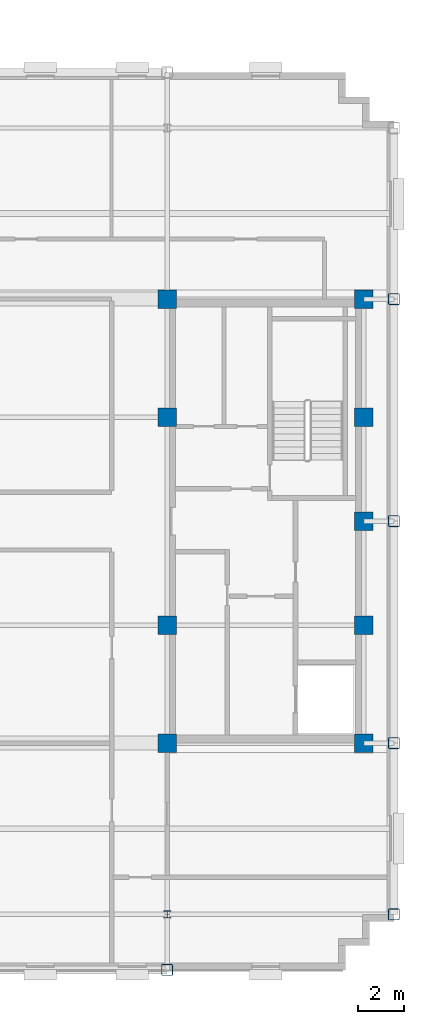
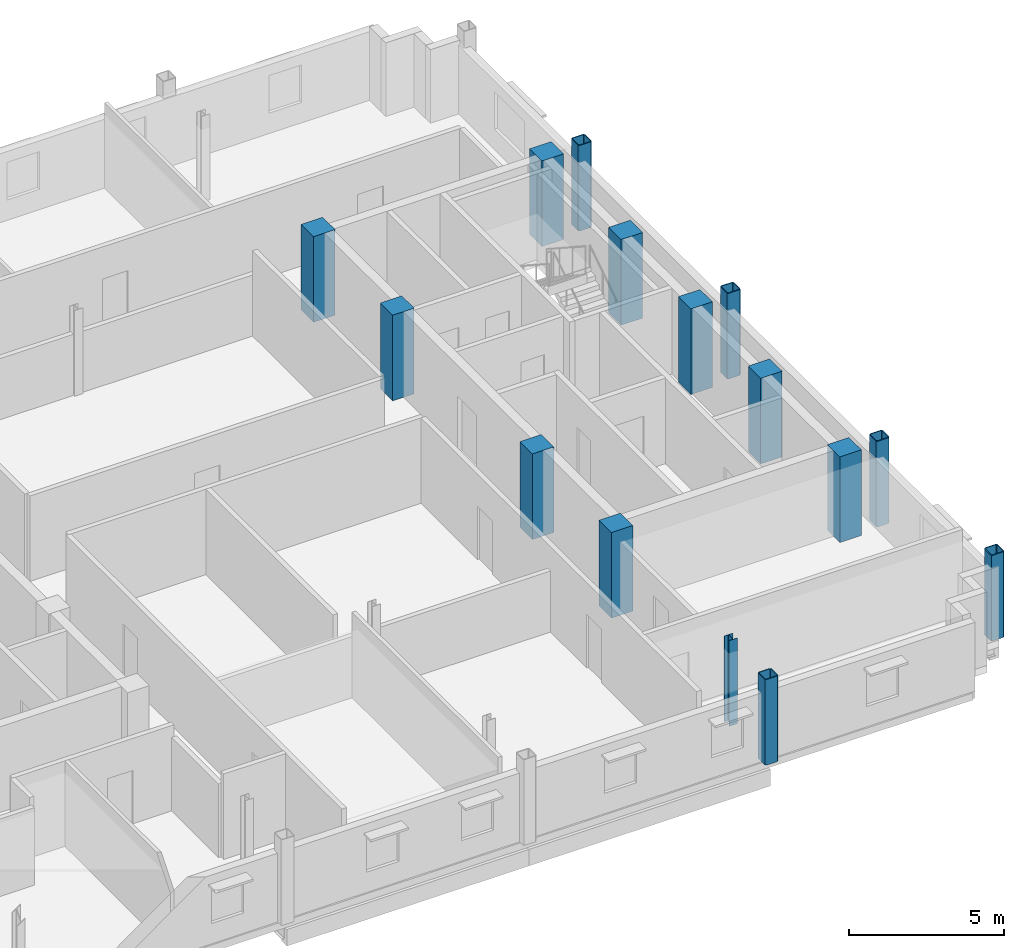
# One storey, part 2 of 14: 15 columns.
"""IFC4 building model written with IfcOpenShell, lengths in metres."""

from ifc_helpers import new_model, si_unit, direction, frame, origin, origin_2d, place, context, subcontext, project, spatial, rectangle, hollow_rectangle, i_section, extrude, material, material_profile, profile_set, type_object, element, save


model = new_model("IFC4")

# Units and contexts
model_context = context("Model", 3, precision=1e-05, world=origin(), true_north=direction((0.0, 1.0)))
body_context = subcontext(model_context, "Body", "Model", "MODEL_VIEW")
ifc_project = project(units=[si_unit("LENGTHUNIT", "METRE"), si_unit("AREAUNIT", "SQUARE_METRE"), si_unit("VOLUMEUNIT", "CUBIC_METRE"), si_unit("PLANEANGLEUNIT", "RADIAN"), si_unit("MASSUNIT", "GRAM", prefix="KILO")], contexts=[model_context])

# Site, building, storey
site_placement = place(None, origin())
site = spatial("IfcSite", under=ifc_project, at=site_placement, CompositionType="ELEMENT")
building_placement = place(site_placement, origin())
building = spatial("IfcBuilding", under=site, at=building_placement, Name="Nuvemarco Arch Tower", CompositionType="ELEMENT")
storey_placement = place(building_placement, frame((0.0, 0.0, 238.35009765625)))
storey = spatial("IfcBuildingStorey", under=building, at=storey_placement, Name="L63", CompositionType="ELEMENT", Elevation=238.35009765625)

# Columns
ifc_material_1 = material(Name="Concrete C50/60", Category="concrete")
ifc_material_profile_1 = material_profile(ifc_material_1, rectangle(XDim=0.800048828125, YDim=0.800048828125, at=origin_2d()), Name="RC-COL-800x800")
ifc_profile_set_1 = profile_set([ifc_material_profile_1], Name="Concrete C50/60")
column_type_1 = type_object("IfcColumnType", Name="COL-CORE-800", PredefinedType="COLUMN", material=ifc_profile_set_1)
for number, where, z_axis, x_axis, name in (
    (1, (9.0, -9.60009765625, 0.0), (0.0, 0.0, 1.0), (1.0, 0.0, 0.0), "L63 column CC_+9.0_-9.6"),
    (2, (9.0, -4.5, 0.0), (0.0, 0.0, 1.0), (1.0, 0.0, 0.0), "L63 column CC_+9.0_-4.5"),
    (3, (9.0, 4.5, 0.0), (0.0, 0.0, 1.0), (1.0, 0.0, 0.0), "L63 column CC_+9.0_+4.5"),
    (4, (9.0, 9.60009765625, 0.0), (0.0, 0.0, 1.0), (1.0, 0.0, 0.0), "L63 column CC_+9.0_+9.6"),
    (5, (17.5, -9.60009765625, 0.0), (0.0, 0.0, 1.0), (1.0, 0.0, 0.0), "L63 column CC_+17.5_-9.6"),
    (6, (17.5, -4.5, 0.0), (0.0, 0.0, 1.0), (1.0, 0.0, 0.0), "L63 column CC_+17.5_-4.5"),
    (7, (17.5, 4.5, 0.0), (0.0, 0.0, 1.0), (1.0, 0.0, 0.0), "L63 column CC_+17.5_+4.5"),
    (8, (17.5, 9.60009765625, 0.0), (0.0, 0.0, 1.0), (1.0, 0.0, 0.0), "L63 column CC_+17.5_+9.6"),
    (9, (17.5, 0.0, 0.0), (0.0, 0.0, 1.0), (1.0, 0.0, 0.0), "L63 column CC_+17.5_+0.0"),
):
    element("IfcColumn", number, at=place(storey_placement, frame(where, z_axis=z_axis, x_axis=x_axis)), inside=storey, type_object=column_type_1, Name=name, PredefinedType="COLUMN", context=body_context, shape_type="SweptSolid", body=[
        extrude(rectangle(XDim=0.800048828125, YDim=0.800048828125, at=origin_2d()), origin(), (0.0, 0.0, 1.0), 3.369873046875),
    ])
ifc_material_2 = material(Name="Steel S355", Category="steel")
ifc_material_profile_2 = material_profile(ifc_material_2, hollow_rectangle(XDim=0.5, YDim=0.5, WallThickness=0.031982421875, InnerFilletRadius=0.031982421875, OuterFilletRadius=0.06396484375, at=origin_2d()), Name="SHS500x500x32")
ifc_profile_set_2 = profile_set([ifc_material_profile_2], Name="Steel S355")
column_type_2 = type_object("IfcColumnType", Name="COL-EXO-500", PredefinedType="COLUMN", material=ifc_profile_set_2)
for number, where, z_axis, x_axis, name in (
    (10, (18.800048828125, -17.0, 0.0), (0.0, 0.0, 1.0), (1.0, 0.0, 0.0), "L63 column CX_+18.8_-17.0"),
    (11, (18.800048828125, -9.60009765625, 0.0), (0.0, 0.0, 1.0), (1.0, 0.0, 0.0), "L63 column CX_+18.8_-9.6"),
    (12, (18.800048828125, 0.0, 0.0), (0.0, 0.0, 1.0), (1.0, 0.0, 0.0), "L63 column CX_+18.8_+0.0"),
    (13, (18.800048828125, 9.60009765625, 0.0), (0.0, 0.0, 1.0), (1.0, 0.0, 0.0), "L63 column CX_+18.8_+9.6"),
    (14, (9.0, -19.39990234375, 0.0), (0.0, 0.0, 1.0), (1.0, 0.0, 0.0), "L63 column CY_+9.0_-19.4"),
):
    element("IfcColumn", number, at=place(storey_placement, frame(where, z_axis=z_axis, x_axis=x_axis)), inside=storey, type_object=column_type_2, Name=name, PredefinedType="COLUMN", context=body_context, shape_type="SweptSolid", body=[
        extrude(hollow_rectangle(XDim=0.5, YDim=0.5, WallThickness=0.031982421875, InnerFilletRadius=0.031982421875, OuterFilletRadius=0.06396484375, at=origin_2d()), origin(), (0.0, 0.0, 1.0), 3.369873046875),
    ])
ifc_material_profile_3 = material_profile(ifc_material_2, i_section(OverallWidth=0.31005859375, OverallDepth=0.31005859375, WebThickness=0.015380859375, FlangeThickness=0.015380859375, FilletRadius=0.014892578125, at=origin_2d()), Name="HP310x110")
ifc_profile_set_3 = profile_set([ifc_material_profile_3], Name="Steel S355")
column_type_3 = type_object("IfcColumnType", Name="COL-STL-HP310", PredefinedType="COLUMN", material=ifc_profile_set_3)
column_placement = place(storey_placement, frame((9.0, -17.0, 0.0), z_axis=(0.0, 0.0, 1.0), x_axis=(1.0, 0.0, 0.0)))
element("IfcColumn", 15, at=column_placement, inside=storey, type_object=column_type_3, Name="L63 column CI_+9.0_-17.0", PredefinedType="COLUMN", context=body_context, shape_type="SweptSolid", body=[
    extrude(i_section(OverallWidth=0.31005859375, OverallDepth=0.31005859375, WebThickness=0.015380859375, FlangeThickness=0.015380859375, FilletRadius=0.014892578125, at=origin_2d()), origin(), (0.0, 0.0, 1.0), 3.369873046875),
])

save(model, "model.ifc")
